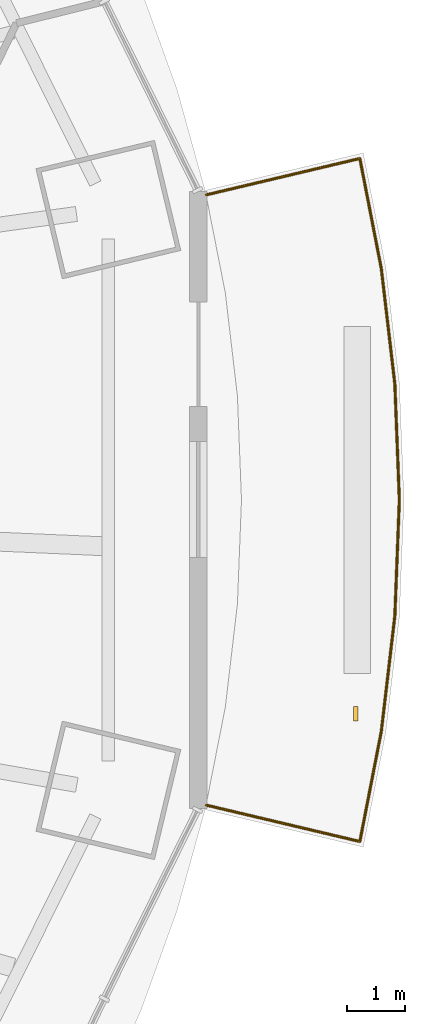
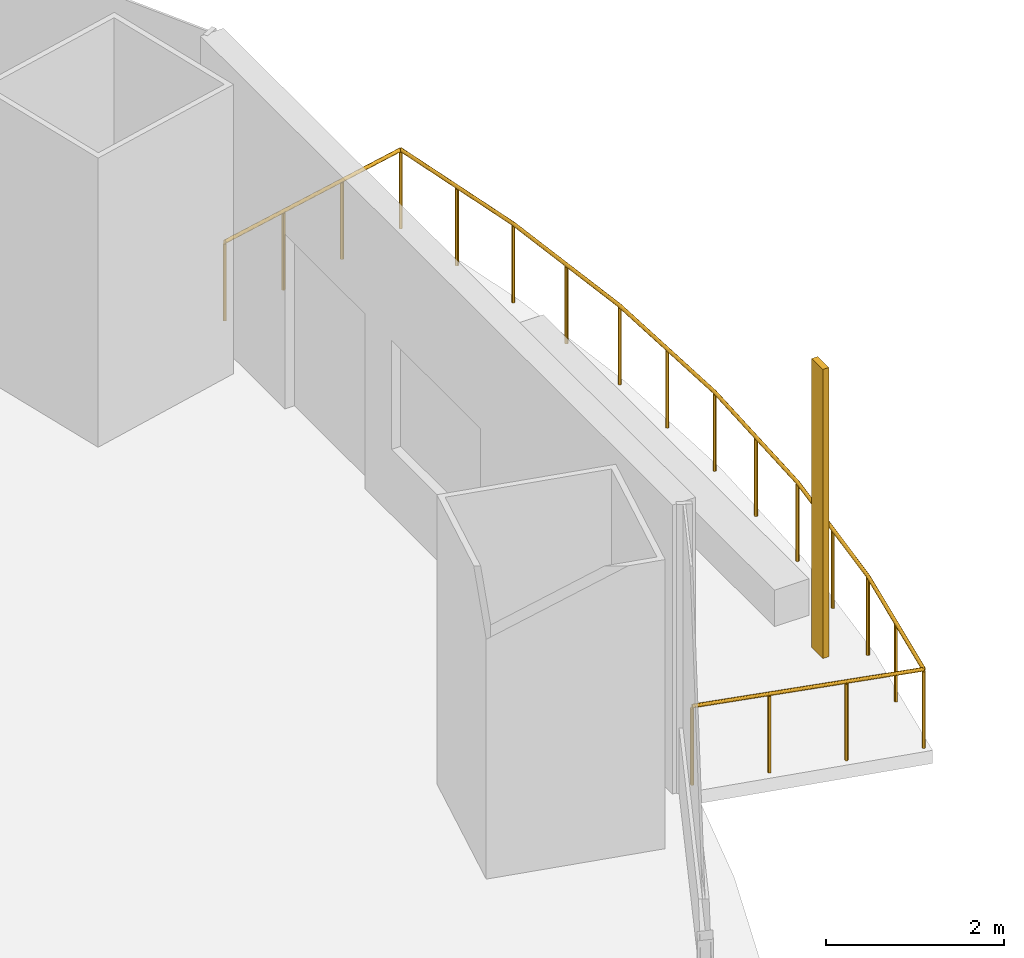
# One storey, part 19 of 20: 1 railing, 1 shading device.
"""IFC4 building model written with IfcOpenShell, lengths in metres."""

from ifc_helpers import new_model, si_unit, direction, frame, origin, origin_2d, place, context, subcontext, project, spatial, rectangle, circle, extrude, material, material_profile, profile_set, type_object, element, save


model = new_model("IFC4")

# Units and contexts
model_context = context("Model", 3, precision=1e-05, world=origin(), true_north=direction((0.0, 1.0)))
body_context = subcontext(model_context, "Body", "Model", "MODEL_VIEW")
ifc_project = project(units=[si_unit("LENGTHUNIT", "METRE"), si_unit("AREAUNIT", "SQUARE_METRE"), si_unit("VOLUMEUNIT", "CUBIC_METRE"), si_unit("PLANEANGLEUNIT", "RADIAN"), si_unit("MASSUNIT", "GRAM", prefix="KILO")], contexts=[model_context])

# Site, building, storey
site_placement = place(None, origin())
site = spatial("IfcSite", under=ifc_project, at=site_placement, CompositionType="ELEMENT")
building_placement = place(site_placement, origin())
building = spatial("IfcBuilding", under=site, at=building_placement, Name="Marenthal Gate Tower", CompositionType="ELEMENT")
storey_placement = place(building_placement, frame((0.0, 0.0, 181.800048828125)))
storey = spatial("IfcBuildingStorey", under=building, at=storey_placement, Name="L39", CompositionType="ELEMENT", Elevation=181.800048828125)

# Railing
ifc_material_1 = material(Name="Stainless steel", Category="steel")
railing_type = type_object("IfcRailingType", Name="Balcony guard 1100", PredefinedType="GUARDRAIL", material=ifc_material_1)
railing_placement = place(storey_placement, frame((33.76953125, 4.656982421875, 0.0)))
element("IfcRailing", 1, at=railing_placement, inside=storey, type_object=railing_type, Name="Balcony guard L39 bay 16", PredefinedType="GUARDRAIL", context=body_context, shape_type="SweptSolid", body=[
    extrude(circle(Radius=0.02392578125, at=origin_2d()), frame((0.0, 0.0, 1.076171875), z_axis=(0.972987052972, 0.230389979244, -0.014719110478), x_axis=(-0.230414940549, 0.973092470001, 0.0)), (0.0, 0.0, 1.0), 2.72021484375),
    extrude(circle(Radius=0.02392578125, at=origin_2d()), frame((2.646728515625, 0.626708984375, 1.0361328125), z_axis=(0.191367617188, -0.981518433394, 0.0), x_axis=(0.981518433394, 0.191367617188, 0.0)), (0.0, 0.0, 1.0), 1.928955078125),
    extrude(circle(Radius=0.02392578125, at=origin_2d()), frame((3.015869140625, -1.2666015625, 1.0361328125), z_axis=(0.116593836363, -0.993179680281, 0.0), x_axis=(0.993179680281, 0.116593836363, 0.0)), (0.0, 0.0, 1.0), 2.00390625),
    extrude(circle(Radius=0.02392578125, at=origin_2d()), frame((3.24951171875, -3.2568359375, 1.0361328125), z_axis=(0.038906197322, -0.99924286728, 0.0), x_axis=(0.99924286728, 0.038906197322, 0.0)), (0.0, 0.0, 1.0), 2.001708984375),
    extrude(circle(Radius=0.02392578125, at=origin_2d()), frame((3.327392578125, -5.257080078125, 1.0361328125), z_axis=(-0.038910939424, -0.999242682632, 0.0), x_axis=(0.999242682632, -0.038910939424, 0.0)), (0.0, 0.0, 1.0), 2.00146484375),
    extrude(circle(Radius=0.02392578125, at=origin_2d()), frame((3.24951171875, -7.257080078125, 1.0361328125), z_axis=(-0.116593836363, -0.993179680281, 0.0), x_axis=(0.993179680281, -0.116593836363, 0.0)), (0.0, 0.0, 1.0), 2.00390625),
    extrude(circle(Radius=0.02392578125, at=origin_2d()), frame((3.015869140625, -9.247314453125, 1.0361328125), z_axis=(-0.191367617188, -0.981518433394, 0.0), x_axis=(0.981518433394, -0.191367617188, 0.0)), (0.0, 0.0, 1.0), 1.928955078125),
    extrude(circle(Radius=0.02392578125, at=origin_2d()), frame((2.646728515625, -11.140625, 1.0361328125), z_axis=(-0.972987052972, 0.230389979244, 0.014719110478), x_axis=(-0.230414940549, -0.973092470001, 0.0)), (0.0, 0.0, 1.0), 2.72021484375),
    extrude(circle(Radius=0.02099609375, at=origin_2d()), origin(), (0.0, 0.0, 1.0), 1.052001953125),
    extrude(circle(Radius=0.02099609375, at=origin_2d()), frame((0.88232421875, 0.208984375, -0.013427734375)), (0.0, 0.0, 1.0), 1.052001953125),
    extrude(circle(Radius=0.02099609375, at=origin_2d()), frame((1.764404296875, 0.417724609375, -0.026611328125)), (0.0, 0.0, 1.0), 1.052001953125),
    extrude(circle(Radius=0.02099609375, at=origin_2d()), frame((2.646728515625, 0.626708984375, -0.0400390625)), (0.0, 0.0, 1.0), 1.052001953125),
    extrude(circle(Radius=0.02099609375, at=origin_2d()), frame((2.831298828125, -0.31982421875, -0.0400390625)), (0.0, 0.0, 1.0), 1.052001953125),
    extrude(circle(Radius=0.02099609375, at=origin_2d()), frame((3.015869140625, -1.2666015625, -0.0400390625)), (0.0, 0.0, 1.0), 1.052001953125),
    extrude(circle(Radius=0.02099609375, at=origin_2d()), frame((3.1328125, -2.26171875, -0.0400390625)), (0.0, 0.0, 1.0), 1.052001953125),
    extrude(circle(Radius=0.02099609375, at=origin_2d()), frame((3.24951171875, -3.2568359375, -0.0400390625)), (0.0, 0.0, 1.0), 1.052001953125),
    extrude(circle(Radius=0.02099609375, at=origin_2d()), frame((3.28857421875, -4.2568359375, -0.0400390625)), (0.0, 0.0, 1.0), 1.052001953125),
    extrude(circle(Radius=0.02099609375, at=origin_2d()), frame((3.327392578125, -5.257080078125, -0.0400390625)), (0.0, 0.0, 1.0), 1.052001953125),
    extrude(circle(Radius=0.02099609375, at=origin_2d()), frame((3.28857421875, -6.257080078125, -0.0400390625)), (0.0, 0.0, 1.0), 1.052001953125),
    extrude(circle(Radius=0.02099609375, at=origin_2d()), frame((3.24951171875, -7.257080078125, -0.0400390625)), (0.0, 0.0, 1.0), 1.052001953125),
    extrude(circle(Radius=0.02099609375, at=origin_2d()), frame((3.1328125, -8.252197265625, -0.0400390625)), (0.0, 0.0, 1.0), 1.052001953125),
    extrude(circle(Radius=0.02099609375, at=origin_2d()), frame((3.015869140625, -9.247314453125, -0.0400390625)), (0.0, 0.0, 1.0), 1.052001953125),
    extrude(circle(Radius=0.02099609375, at=origin_2d()), frame((2.831298828125, -10.19384765625, -0.0400390625)), (0.0, 0.0, 1.0), 1.052001953125),
    extrude(circle(Radius=0.02099609375, at=origin_2d()), frame((2.646728515625, -11.140625, -0.0400390625)), (0.0, 0.0, 1.0), 1.052001953125),
    extrude(circle(Radius=0.02099609375, at=origin_2d()), frame((1.764404296875, -10.931640625, -0.026611328125)), (0.0, 0.0, 1.0), 1.052001953125),
    extrude(circle(Radius=0.02099609375, at=origin_2d()), frame((0.88232421875, -10.722900390625, -0.013427734375)), (0.0, 0.0, 1.0), 1.052001953125),
    extrude(circle(Radius=0.02099609375, at=origin_2d()), frame((0.0, -10.513916015625, 0.0)), (0.0, 0.0, 1.0), 1.052001953125),
])

# Shading device
ifc_material_2 = material(Name="Terracotta", Category="masonry")
ifc_material_profile = material_profile(ifc_material_2, rectangle(XDim=0.25, YDim=0.080078125, at=origin_2d()), Name="Terracotta baguette 250x80")
ifc_profile_set = profile_set([ifc_material_profile], Name="Terracotta")
shading_device_type = type_object("IfcShadingDeviceType", Name="Terracotta BAGUETTE SCREEN 250x80", PredefinedType="USERDEFINED", material=ifc_profile_set)
shading_device_placement = place(storey_placement, frame((36.344970703125, -4.280517578125, -0.0400390625), z_axis=(0.0, 0.0, 1.0), x_axis=(0.0, 1.0, 0.0)))
element("IfcShadingDevice", 2, at=shading_device_placement, inside=storey, type_object=shading_device_type, Name="Terracotta BAGUETTE L39 bay 16L", ObjectType="BAGUETTE SCREEN", PredefinedType="USERDEFINED", context=body_context, shape_type="SweptSolid", body=[
    extrude(rectangle(XDim=0.25, YDim=0.080078125, at=origin_2d()), origin(), (0.0, 0.0, 1.0), 3.969970703125),
])

save(model, "model.ifc")
